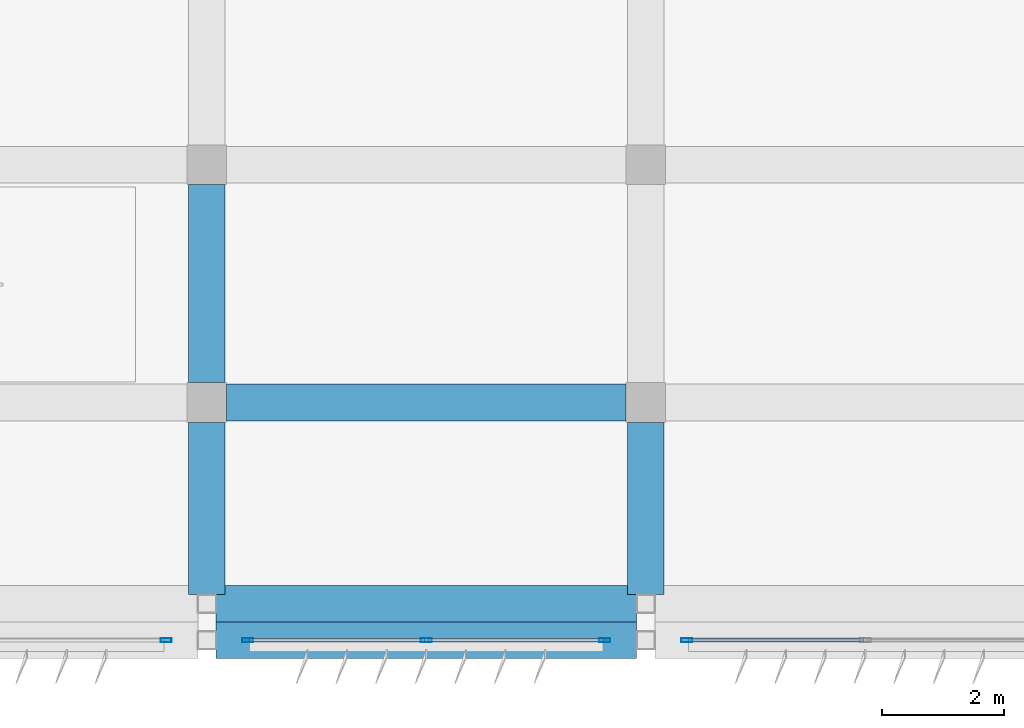
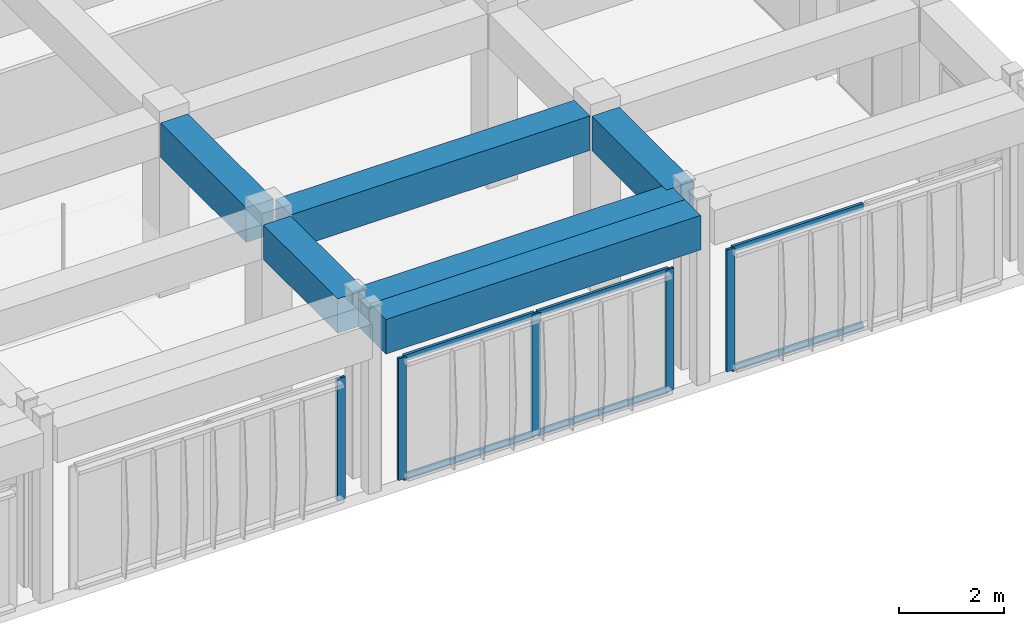
# One storey, part 17 of 42: 11 members, 6 beams, 3 elements without a shape of their own.
"""IFC4 building model written with IfcOpenShell, lengths in metres."""

from ifc_helpers import new_model, si_unit, direction, frame, origin, origin_2d, place, context, subcontext, project, spatial, rectangle, hollow_rectangle, extrude, material, material_profile, profile_set, type_object, element, aggregate, save


model = new_model("IFC4")

# Units and contexts
model_context = context("Model", 3, precision=1e-05, world=origin(), true_north=direction((0.0, 1.0)))
body_context = subcontext(model_context, "Body", "Model", "MODEL_VIEW")
ifc_project = project(units=[si_unit("LENGTHUNIT", "METRE"), si_unit("AREAUNIT", "SQUARE_METRE"), si_unit("VOLUMEUNIT", "CUBIC_METRE"), si_unit("PLANEANGLEUNIT", "RADIAN"), si_unit("MASSUNIT", "GRAM", prefix="KILO")], contexts=[model_context])

# Site, building, storey
site_placement = place(None, origin())
site = spatial("IfcSite", under=ifc_project, at=site_placement, CompositionType="ELEMENT")
building_placement = place(site_placement, origin())
building = spatial("IfcBuilding", under=site, at=building_placement, Name="Kazehaya Institute of Natural Sciences", CompositionType="ELEMENT")
storey_placement = place(building_placement, frame((0.0, 0.0, 37.6201171875)))
storey = spatial("IfcBuildingStorey", under=building, at=storey_placement, Name="L08", CompositionType="ELEMENT", Elevation=37.6201171875)

# Beams
ifc_material_1 = material(Name="Concrete Fc36", Category="concrete")
ifc_material_profile_1 = material_profile(ifc_material_1, rectangle(XDim=0.60009765625, YDim=0.800048828125, at=origin_2d()), Name="RC-600x800")
ifc_profile_set_1 = profile_set([ifc_material_profile_1], Name="Concrete Fc36")
beam_type = type_object("IfcBeamType", Name="BM-G-600x800", PredefinedType="BEAM", material=ifc_profile_set_1)
for number, where, z_axis, x_axis, name in (
    (1, (105.14990234375, 6.199951171875, 3.64990234375), (1.0, 0.0, 0.0), (0.0, 1.0, 0.0), "L08 primary X girder BMX-L08-1050-62"),
    (2, (105.14990234375, 6.800048828125, 3.64990234375), (1.0, 0.0, 0.0), (0.0, 1.0, 0.0), "L08 primary X girder BMX-L08-1050-68"),
):
    element("IfcBeam", number, at=place(storey_placement, frame(where, z_axis=z_axis, x_axis=x_axis)), inside=storey, type_object=beam_type, Name=name, PredefinedType="BEAM", context=body_context, shape_type="SweptSolid", body=[
        extrude(rectangle(XDim=0.60009765625, YDim=0.800048828125, at=origin_2d()), origin(), (0.0, 0.0, 1.0), 6.900146484375),
    ])
beam_1_placement = place(storey_placement, frame((105.324951171875, 10.10009765625, 3.64990234375), z_axis=(1.0, 0.0, 0.0), x_axis=(0.0, 1.0, 0.0)))
element("IfcBeam", 3, at=beam_1_placement, inside=storey, type_object=beam_type, Name="L08 primary X girder BMX-L08-1050-101", PredefinedType="BEAM", context=body_context, shape_type="SweptSolid", body=[
    extrude(rectangle(XDim=0.60009765625, YDim=0.800048828125, at=origin_2d()), origin(), (0.0, 0.0, 1.0), 6.550048828125),
])
beam_2_placement = place(storey_placement, frame((105.0, 6.949951171875, 3.64990234375), z_axis=(0.0, 1.0, 0.0), x_axis=(-1.0, 0.0, 0.0)))
element("IfcBeam", 4, at=beam_2_placement, inside=storey, type_object=beam_type, Name="L08 primary Y girder BMY-L08-1050-68", PredefinedType="BEAM", context=body_context, shape_type="SweptSolid", body=[
    extrude(rectangle(XDim=0.60009765625, YDim=0.800048828125, at=origin_2d()), origin(), (0.0, 0.0, 1.0), 2.824951171875),
])
beam_3_placement = place(storey_placement, frame((105.0, 10.425048828125, 3.64990234375), z_axis=(0.0, 1.0, 0.0), x_axis=(-1.0, 0.0, 0.0)))
element("IfcBeam", 5, at=beam_3_placement, inside=storey, type_object=beam_type, Name="L08 primary Y girder BMY-L08-1050-101", PredefinedType="BEAM", context=body_context, shape_type="SweptSolid", body=[
    extrude(rectangle(XDim=0.60009765625, YDim=0.800048828125, at=origin_2d()), origin(), (0.0, 0.0, 1.0), 3.25),
])
beam_4_placement = place(storey_placement, frame((112.199951171875, 6.949951171875, 3.64990234375), z_axis=(0.0, 1.0, 0.0), x_axis=(-1.0, 0.0, 0.0)))
element("IfcBeam", 6, at=beam_4_placement, inside=storey, type_object=beam_type, Name="L08 primary Y girder BMY-L08-1122-68", PredefinedType="BEAM", context=body_context, shape_type="SweptSolid", body=[
    extrude(rectangle(XDim=0.60009765625, YDim=0.800048828125, at=origin_2d()), origin(), (0.0, 0.0, 1.0), 2.824951171875),
])

# Curtain wall, member
ifc_material_2 = material(Name="Aluminium alloy A6063S-T5", Category="aluminium")
curtain_wall_type = type_object("IfcCurtainWallType", Name="CW-SYS-05", PredefinedType="NOTDEFINED", material=ifc_material_2)
curtain_wall_1_placement = place(storey_placement, origin())
curtain_wall_1 = element("IfcCurtainWall", 7, at=curtain_wall_1_placement, inside=storey, type_object=curtain_wall_type, Name="L08 unitised curtain wall CW-L08-176", PredefinedType="NOTDEFINED")
ifc_material_profile_2 = material_profile(ifc_material_2, hollow_rectangle(XDim=0.06005859375, YDim=0.179931640625, WallThickness=0.00390625, at=origin_2d()), Name="ALU-60x180x4")
ifc_profile_set_2 = profile_set([ifc_material_profile_2], Name="Aluminium alloy A6063S-T5")
member_type_1 = type_object("IfcMemberType", Name="CWM-180", PredefinedType="MULLION", material=ifc_profile_set_2)
member_1_placement = place(storey_placement, frame((112.8701171875, 6.199951171875, 0.0), z_axis=(0.0, 0.0, 1.0), x_axis=(0.0, -1.0, 0.0)))
member_1 = element("IfcMember", 8, at=member_1_placement, type_object=member_type_1, Name="CW05 mullion 3", PredefinedType="MULLION", context=body_context, shape_type="SweptSolid", body=[
    extrude(hollow_rectangle(XDim=0.06005859375, YDim=0.179931640625, WallThickness=0.00390625, at=origin_2d()), origin(), (0.0, 0.0, 1.0), 2.81982421875),
])

# Curtain wall, members
curtain_wall_2_placement = place(storey_placement, origin())
curtain_wall_2 = element("IfcCurtainWall", 9, at=curtain_wall_2_placement, inside=storey, type_object=curtain_wall_type, Name="L08 unitised curtain wall CW-L08-177", PredefinedType="NOTDEFINED")
member_2_placement = place(storey_placement, frame((111.530029296875, 6.199951171875, 0.0), z_axis=(0.0, 0.0, 1.0), x_axis=(0.0, -1.0, 0.0)))
member_2 = element("IfcMember", 10, at=member_2_placement, type_object=member_type_1, Name="CW05 mullion 1", PredefinedType="MULLION", context=body_context, shape_type="SweptSolid", body=[
    extrude(hollow_rectangle(XDim=0.06005859375, YDim=0.179931640625, WallThickness=0.00390625, at=origin_2d()), origin(), (0.0, 0.0, 1.0), 2.81982421875),
])
member_3_placement = place(storey_placement, frame((108.60009765625, 6.199951171875, 0.0), z_axis=(0.0, 0.0, 1.0), x_axis=(0.0, -1.0, 0.0)))
member_3 = element("IfcMember", 11, at=member_3_placement, type_object=member_type_1, Name="CW05 mullion 2", PredefinedType="MULLION", context=body_context, shape_type="SweptSolid", body=[
    extrude(hollow_rectangle(XDim=0.06005859375, YDim=0.179931640625, WallThickness=0.00390625, at=origin_2d()), origin(), (0.0, 0.0, 1.0), 2.81982421875),
])
member_4_placement = place(storey_placement, frame((105.669921875, 6.199951171875, 0.0), z_axis=(0.0, 0.0, 1.0), x_axis=(0.0, -1.0, 0.0)))
member_4 = element("IfcMember", 12, at=member_4_placement, type_object=member_type_1, Name="CW05 mullion 3", PredefinedType="MULLION", context=body_context, shape_type="SweptSolid", body=[
    extrude(hollow_rectangle(XDim=0.06005859375, YDim=0.179931640625, WallThickness=0.00390625, at=origin_2d()), origin(), (0.0, 0.0, 1.0), 2.81982421875),
])

# Curtain wall, member
curtain_wall_3_placement = place(storey_placement, origin())
curtain_wall_3 = element("IfcCurtainWall", 13, at=curtain_wall_3_placement, inside=storey, type_object=curtain_wall_type, Name="L08 unitised curtain wall CW-L08-178", PredefinedType="NOTDEFINED")
member_5_placement = place(storey_placement, frame((104.330078125, 6.199951171875, 0.0), z_axis=(0.0, 0.0, 1.0), x_axis=(0.0, -1.0, 0.0)))
member_5 = element("IfcMember", 14, at=member_5_placement, type_object=member_type_1, Name="CW05 mullion 1", PredefinedType="MULLION", context=body_context, shape_type="SweptSolid", body=[
    extrude(hollow_rectangle(XDim=0.06005859375, YDim=0.179931640625, WallThickness=0.00390625, at=origin_2d()), origin(), (0.0, 0.0, 1.0), 2.81982421875),
])
aggregate(curtain_wall_3, [member_5])

# Member
ifc_material_profile_3 = material_profile(ifc_material_2, hollow_rectangle(XDim=0.06005859375, YDim=0.139892578125, WallThickness=0.00341796875, at=origin_2d()), Name="ALU-60x140x3.5")
ifc_profile_set_3 = profile_set([ifc_material_profile_3], Name="Aluminium alloy A6063S-T5")
member_type_2 = type_object("IfcMemberType", Name="CWT-140", PredefinedType="USERDEFINED", material=ifc_profile_set_3)
member_6_placement = place(storey_placement, frame((115.77001953125, 6.199951171875, 0.02978515625), z_axis=(-1.0, 0.0, 0.0), x_axis=(0.0, -1.0, 0.0)))
member_6 = element("IfcMember", 15, at=member_6_placement, type_object=member_type_2, Name="CW05 transom 2.1", ObjectType="TRANSOM", PredefinedType="USERDEFINED", context=body_context, shape_type="SweptSolid", body=[
    extrude(hollow_rectangle(XDim=0.06005859375, YDim=0.139892578125, WallThickness=0.00341796875, at=origin_2d()), origin(), (0.0, 0.0, 1.0), 2.8701171875),
])

member_7_placement = place(storey_placement, frame((115.77001953125, 6.199951171875, 2.789794921875), z_axis=(-1.0, 0.0, 0.0), x_axis=(0.0, -1.0, 0.0)))
member_7 = element("IfcMember", 16, at=member_7_placement, type_object=member_type_2, Name="CW05 transom 2.2", ObjectType="TRANSOM", PredefinedType="USERDEFINED", context=body_context, shape_type="SweptSolid", body=[
    extrude(hollow_rectangle(XDim=0.06005859375, YDim=0.139892578125, WallThickness=0.00341796875, at=origin_2d()), origin(), (0.0, 0.0, 1.0), 2.8701171875),
])

aggregate(curtain_wall_1, [member_1, member_6, member_7])

member_8_placement = place(storey_placement, frame((111.5, 6.199951171875, 0.02978515625), z_axis=(-1.0, 0.0, 0.0), x_axis=(0.0, -1.0, 0.0)))
member_8 = element("IfcMember", 17, at=member_8_placement, type_object=member_type_2, Name="CW05 transom 1.1", ObjectType="TRANSOM", PredefinedType="USERDEFINED", context=body_context, shape_type="SweptSolid", body=[
    extrude(hollow_rectangle(XDim=0.06005859375, YDim=0.139892578125, WallThickness=0.00341796875, at=origin_2d()), origin(), (0.0, 0.0, 1.0), 2.8701171875),
])

member_9_placement = place(storey_placement, frame((111.5, 6.199951171875, 2.789794921875), z_axis=(-1.0, 0.0, 0.0), x_axis=(0.0, -1.0, 0.0)))
member_9 = element("IfcMember", 18, at=member_9_placement, type_object=member_type_2, Name="CW05 transom 1.2", ObjectType="TRANSOM", PredefinedType="USERDEFINED", context=body_context, shape_type="SweptSolid", body=[
    extrude(hollow_rectangle(XDim=0.06005859375, YDim=0.139892578125, WallThickness=0.00341796875, at=origin_2d()), origin(), (0.0, 0.0, 1.0), 2.8701171875),
])

member_10_placement = place(storey_placement, frame((108.570068359375, 6.199951171875, 0.02978515625), z_axis=(-1.0, 0.0, 0.0), x_axis=(0.0, -1.0, 0.0)))
member_10 = element("IfcMember", 19, at=member_10_placement, type_object=member_type_2, Name="CW05 transom 2.1", ObjectType="TRANSOM", PredefinedType="USERDEFINED", context=body_context, shape_type="SweptSolid", body=[
    extrude(hollow_rectangle(XDim=0.06005859375, YDim=0.139892578125, WallThickness=0.00341796875, at=origin_2d()), origin(), (0.0, 0.0, 1.0), 2.8701171875),
])

member_11_placement = place(storey_placement, frame((108.570068359375, 6.199951171875, 2.789794921875), z_axis=(-1.0, 0.0, 0.0), x_axis=(0.0, -1.0, 0.0)))
member_11 = element("IfcMember", 20, at=member_11_placement, type_object=member_type_2, Name="CW05 transom 2.2", ObjectType="TRANSOM", PredefinedType="USERDEFINED", context=body_context, shape_type="SweptSolid", body=[
    extrude(hollow_rectangle(XDim=0.06005859375, YDim=0.139892578125, WallThickness=0.00341796875, at=origin_2d()), origin(), (0.0, 0.0, 1.0), 2.8701171875),
])

aggregate(curtain_wall_2, [member_2, member_3, member_4, member_8, member_9, member_10, member_11])

save(model, "model.ifc")
